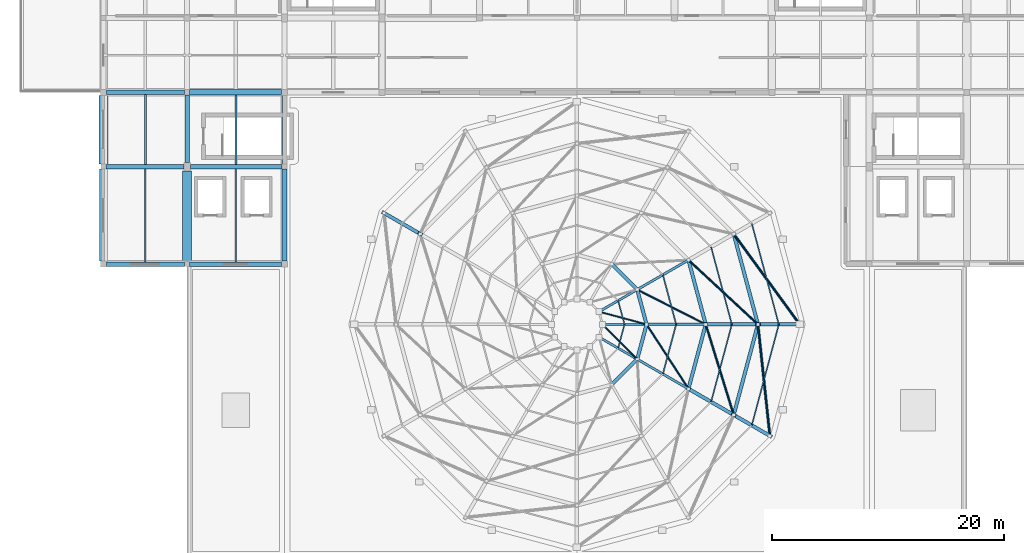
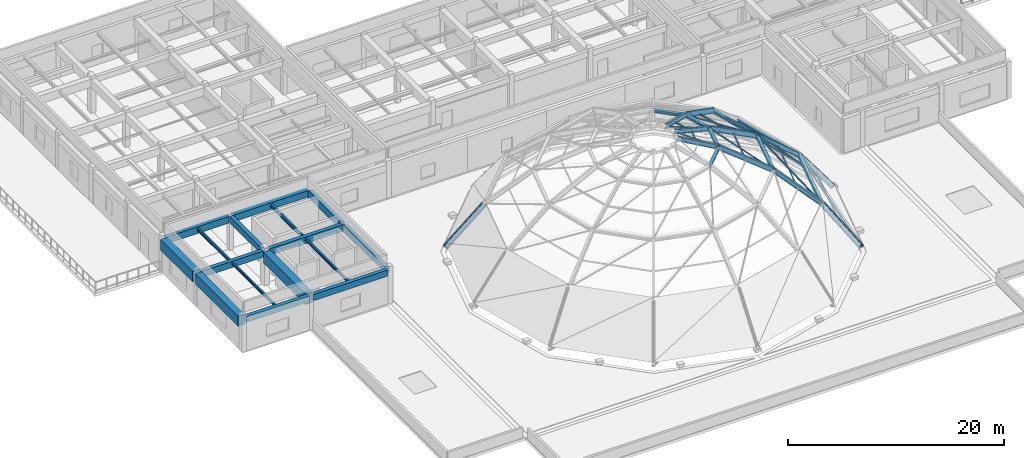
# One storey, part 3 of 18: 27 members, 24 beams.
"""IFC4 building model written with IfcOpenShell, lengths in metres."""

from ifc_helpers import new_model, si_unit, direction, frame, origin, origin_2d, place, context, subcontext, project, spatial, rectangle, hollow_rectangle, hollow_circle, i_section, extrude, material, material_profile, profile_set, type_object, element, save


model = new_model("IFC4")

# Units and contexts
model_context = context("Model", 3, precision=1e-05, world=origin(), true_north=direction((0.0, 1.0)))
body_context = subcontext(model_context, "Body", "Model", "MODEL_VIEW")
ifc_project = project(units=[si_unit("LENGTHUNIT", "METRE"), si_unit("AREAUNIT", "SQUARE_METRE"), si_unit("VOLUMEUNIT", "CUBIC_METRE"), si_unit("PLANEANGLEUNIT", "RADIAN"), si_unit("MASSUNIT", "GRAM", prefix="KILO")], contexts=[model_context])

# Site, building, storey
site_placement = place(None, origin())
site = spatial("IfcSite", under=ifc_project, at=site_placement, CompositionType="ELEMENT")
building_placement = place(site_placement, origin())
building = spatial("IfcBuilding", under=site, at=building_placement, Name="Korsvaeld Concert Hall", CompositionType="ELEMENT")
storey_placement = place(building_placement, frame((0.0, 0.0, 17.39990234375)))
storey = spatial("IfcBuildingStorey", under=building, at=storey_placement, Name="L04", CompositionType="ELEMENT", Elevation=17.39990234375)

# Beams
ifc_material_1 = material(Name="Concrete C35/45", Category="concrete")
ifc_material_profile_1 = material_profile(ifc_material_1, rectangle(XDim=0.39990234375, YDim=0.64990234375, at=origin_2d()), Name="RC 400x650")
ifc_profile_set_1 = profile_set([ifc_material_profile_1], Name="Concrete C35/45")
beam_type_1 = type_object("IfcBeamType", Name="BM-RC-400x650", PredefinedType="T_BEAM", material=ifc_profile_set_1)
beam_1_placement = place(storey_placement, frame((43.449951171875, 68.39990234375, 3.51513671875), z_axis=(1.0, 0.0, 0.0), x_axis=(0.0, 1.0, 0.0)))
element("IfcBeam", 1, at=beam_1_placement, inside=storey, type_object=beam_type_1, Name="Primary girder 7-8/K L04", PredefinedType="T_BEAM", context=body_context, shape_type="SweptSolid", body=[
    extrude(rectangle(XDim=0.39990234375, YDim=0.64990234375, at=origin_2d()), origin(), (0.0, 0.0, 1.0), 6.72509765625),
])
ifc_material_profile_2 = material_profile(ifc_material_1, rectangle(XDim=0.39990234375, YDim=0.699951171875, at=origin_2d()), Name="RC 400x700")
ifc_profile_set_2 = profile_set([ifc_material_profile_2], Name="Concrete C35/45")
beam_type_2 = type_object("IfcBeamType", Name="BM-RC-400x700", PredefinedType="T_BEAM", material=ifc_profile_set_2)
beam_2_placement = place(storey_placement, frame((50.625, 68.39990234375, 3.489990234375), z_axis=(1.0, 0.0, 0.0), x_axis=(0.0, 1.0, 0.0)))
element("IfcBeam", 2, at=beam_2_placement, inside=storey, type_object=beam_type_2, Name="Primary girder 8-9/K L04", PredefinedType="T_BEAM", context=body_context, shape_type="SweptSolid", body=[
    extrude(rectangle(XDim=0.39990234375, YDim=0.699951171875, at=origin_2d()), origin(), (0.0, 0.0, 1.0), 7.925048828125),
])
beam_3_placement = place(storey_placement, frame((43.425048828125, 76.800048828125, 3.489990234375), z_axis=(1.0, 0.0, 0.0), x_axis=(0.0, 1.0, 0.0)))
element("IfcBeam", 3, at=beam_3_placement, inside=storey, type_object=beam_type_2, Name="Primary girder 7-8/L L04", PredefinedType="T_BEAM", context=body_context, shape_type="SweptSolid", body=[
    extrude(rectangle(XDim=0.39990234375, YDim=0.699951171875, at=origin_2d()), origin(), (0.0, 0.0, 1.0), 6.699951171875),
])
beam_4_placement = place(storey_placement, frame((50.39990234375, 77.175048828125, 3.489990234375), z_axis=(0.0, 1.0, 0.0), x_axis=(-1.0, 0.0, 0.0)))
element("IfcBeam", 4, at=beam_4_placement, inside=storey, type_object=beam_type_2, Name="Primary girder 8/L-M L04", PredefinedType="T_BEAM", context=body_context, shape_type="SweptSolid", body=[
    extrude(rectangle(XDim=0.39990234375, YDim=0.699951171875, at=origin_2d()), origin(), (0.0, 0.0, 1.0), 5.800048828125),
])
beam_5_placement = place(storey_placement, frame((58.800048828125, 68.64990234375, 3.489990234375), z_axis=(0.0, 1.0, 0.0), x_axis=(-1.0, 0.0, 0.0)))
element("IfcBeam", 5, at=beam_5_placement, inside=storey, type_object=beam_type_2, Name="Primary girder 9/K-L L04", PredefinedType="T_BEAM", context=body_context, shape_type="SweptSolid", body=[
    extrude(rectangle(XDim=0.39990234375, YDim=0.699951171875, at=origin_2d()), origin(), (0.0, 0.0, 1.0), 7.925048828125),
])
ifc_material_profile_3 = material_profile(ifc_material_1, rectangle(XDim=0.39990234375, YDim=0.75, at=origin_2d()), Name="RC 400x750")
ifc_profile_set_3 = profile_set([ifc_material_profile_3], Name="Concrete C35/45")
beam_type_3 = type_object("IfcBeamType", Name="BM-RC-400x750", PredefinedType="T_BEAM", material=ifc_profile_set_3)
beam_6_placement = place(storey_placement, frame((50.675048828125, 76.800048828125, 3.465087890625), z_axis=(1.0, 0.0, 0.0), x_axis=(0.0, 1.0, 0.0)))
element("IfcBeam", 6, at=beam_6_placement, inside=storey, type_object=beam_type_3, Name="Primary girder 8-9/L L04", PredefinedType="T_BEAM", context=body_context, shape_type="SweptSolid", body=[
    extrude(rectangle(XDim=0.39990234375, YDim=0.75, at=origin_2d()), origin(), (0.0, 0.0, 1.0), 7.89990234375),
])
beam_7_placement = place(storey_placement, frame((43.449951171875, 83.199951171875, 3.465087890625), z_axis=(1.0, 0.0, 0.0), x_axis=(0.0, 1.0, 0.0)))
element("IfcBeam", 7, at=beam_7_placement, inside=storey, type_object=beam_type_3, Name="Primary girder 7-8/M L04", PredefinedType="T_BEAM", context=body_context, shape_type="SweptSolid", body=[
    extrude(rectangle(XDim=0.39990234375, YDim=0.75, at=origin_2d()), origin(), (0.0, 0.0, 1.0), 6.72509765625),
])
ifc_material_profile_4 = material_profile(ifc_material_1, rectangle(XDim=0.449951171875, YDim=0.75, at=origin_2d()), Name="RC 450x750")
ifc_profile_set_4 = profile_set([ifc_material_profile_4], Name="Concrete C35/45")
beam_type_4 = type_object("IfcBeamType", Name="BM-RC-450x750", PredefinedType="T_BEAM", material=ifc_profile_set_4)
beam_8_placement = place(storey_placement, frame((50.625, 83.199951171875, 3.465087890625), z_axis=(1.0, 0.0, 0.0), x_axis=(0.0, 1.0, 0.0)))
element("IfcBeam", 8, at=beam_8_placement, inside=storey, type_object=beam_type_4, Name="Primary girder 8-9/M L04", PredefinedType="T_BEAM", context=body_context, shape_type="SweptSolid", body=[
    extrude(rectangle(XDim=0.449951171875, YDim=0.75, at=origin_2d()), origin(), (0.0, 0.0, 1.0), 7.925048828125),
])
ifc_material_profile_5 = material_profile(ifc_material_1, rectangle(XDim=0.449951171875, YDim=0.800048828125, at=origin_2d()), Name="RC 450x800")
ifc_profile_set_5 = profile_set([ifc_material_profile_5], Name="Concrete C35/45")
beam_type_5 = type_object("IfcBeamType", Name="BM-RC-450x800", PredefinedType="T_BEAM", material=ifc_profile_set_5)
beam_9_placement = place(storey_placement, frame((58.800048828125, 77.02490234375, 3.440185546875), z_axis=(0.0, 1.0, 0.0), x_axis=(-1.0, 0.0, 0.0)))
element("IfcBeam", 9, at=beam_9_placement, inside=storey, type_object=beam_type_5, Name="Primary girder 9/L-M L04", PredefinedType="T_BEAM", context=body_context, shape_type="SweptSolid", body=[
    extrude(rectangle(XDim=0.449951171875, YDim=0.800048828125, at=origin_2d()), origin(), (0.0, 0.0, 1.0), 5.925048828125),
])
ifc_material_2 = material(Name="Concrete C40/50", Category="concrete")
ifc_material_profile_6 = material_profile(ifc_material_2, rectangle(XDim=0.699951171875, YDim=1.14990234375, at=origin_2d()), Name="RC 700x1150")
ifc_profile_set_6 = profile_set([ifc_material_profile_6], Name="Concrete C40/50")
beam_type_6 = type_object("IfcBeamType", Name="BM-RC-700x1150", PredefinedType="T_BEAM", material=ifc_profile_set_6)
beam_10_placement = place(storey_placement, frame((43.199951171875, 68.64990234375, 3.26513671875), z_axis=(0.0, 1.0, 0.0), x_axis=(-1.0, 0.0, 0.0)))
element("IfcBeam", 10, at=beam_10_placement, inside=storey, type_object=beam_type_6, Name="Primary girder 7/K-L L04", PredefinedType="T_BEAM", context=body_context, shape_type="SweptSolid", body=[
    extrude(rectangle(XDim=0.699951171875, YDim=1.14990234375, at=origin_2d()), origin(), (0.0, 0.0, 1.0), 7.925048828125),
])
ifc_material_profile_7 = material_profile(ifc_material_2, rectangle(XDim=0.75, YDim=1.199951171875, at=origin_2d()), Name="RC 750x1200")
ifc_profile_set_7 = profile_set([ifc_material_profile_7], Name="Concrete C40/50")
beam_type_7 = type_object("IfcBeamType", Name="BM-RC-750x1200", PredefinedType="T_BEAM", material=ifc_profile_set_7)
beam_11_placement = place(storey_placement, frame((43.199951171875, 77.02490234375, 3.239990234375), z_axis=(0.0, 1.0, 0.0), x_axis=(-1.0, 0.0, 0.0)))
element("IfcBeam", 11, at=beam_11_placement, inside=storey, type_object=beam_type_7, Name="Primary girder 7/L-M L04", PredefinedType="T_BEAM", context=body_context, shape_type="SweptSolid", body=[
    extrude(rectangle(XDim=0.75, YDim=1.199951171875, at=origin_2d()), origin(), (0.0, 0.0, 1.0), 5.925048828125),
])
beam_12_placement = place(storey_placement, frame((50.39990234375, 68.625, 3.239990234375), z_axis=(0.0, 1.0, 0.0), x_axis=(-1.0, 0.0, 0.0)))
element("IfcBeam", 12, at=beam_12_placement, inside=storey, type_object=beam_type_7, Name="Primary girder 8/K-L L04", PredefinedType="T_BEAM", context=body_context, shape_type="SweptSolid", body=[
    extrude(rectangle(XDim=0.75, YDim=1.199951171875, at=origin_2d()), origin(), (0.0, 0.0, 1.0), 7.800048828125),
])
ifc_material_3 = material(Name="Steel S355J2", Category="steel")
ifc_material_profile_8 = material_profile(ifc_material_3, i_section(OverallWidth=0.300048828125, OverallDepth=0.31005859375, WebThickness=0.009033203125, FlangeThickness=0.015380859375, FilletRadius=0.027099609375, at=origin_2d()), Name="HEA 320")
ifc_profile_set_8 = profile_set([ifc_material_profile_8], Name="Steel S355J2")
beam_type_8 = type_object("IfcBeamType", Name="BM-RING-HEA320", PredefinedType="USERDEFINED", material=ifc_profile_set_8)
beam_13_placement = place(storey_placement, frame((90.0, 63.199951171875, 11.760009765625), z_axis=(-0.258777996848, 0.965936824201, 0.0), x_axis=(-0.965936824201, -0.258777996848, 0.0)))
element("IfcBeam", 13, at=beam_13_placement, inside=storey, type_object=beam_type_8, Name="Dome latitude ring beam T3.B01", ObjectType="RING BEAM", PredefinedType="USERDEFINED", context=body_context, shape_type="SweptSolid", body=[
    extrude(i_section(OverallWidth=0.300048828125, OverallDepth=0.31005859375, WebThickness=0.009033203125, FlangeThickness=0.015380859375, FilletRadius=0.027099609375, at=origin_2d()), origin(), (0.0, 0.0, 1.0), 3.105712890625),
])
for number, where, z_axis, x_axis, name in (
    (14, (89.1962890625, 66.199951171875, 11.760009765625), (-0.707106781187, 0.707106781187, 0.0), (-0.707106781187, -0.707106781187, 0.0), "Dome latitude ring beam T3.B02"),
    (15, (87.0, 58.00390625, 11.760009765625), (0.707146083456, 0.707067476733, 0.0), (-0.707067476733, 0.707146083456, 0.0), "Dome latitude ring beam T3.B11"),
):
    element("IfcBeam", number, at=place(storey_placement, frame(where, z_axis=z_axis, x_axis=x_axis)), inside=storey, type_object=beam_type_8, Name=name, ObjectType="RING BEAM", PredefinedType="USERDEFINED", context=body_context, shape_type="SweptSolid", body=[
        extrude(i_section(OverallWidth=0.300048828125, OverallDepth=0.31005859375, WebThickness=0.009033203125, FlangeThickness=0.015380859375, FilletRadius=0.027099609375, at=origin_2d()), origin(), (0.0, 0.0, 1.0), 3.10595703125),
    ])
beam_14_placement = place(storey_placement, frame((89.1962890625, 60.199951171875, 11.760009765625), z_axis=(0.258777996848, 0.965936824201, 0.0), x_axis=(-0.965936824201, 0.258777996848, 0.0)))
element("IfcBeam", 16, at=beam_14_placement, inside=storey, type_object=beam_type_8, Name="Dome latitude ring beam T3.B12", ObjectType="RING BEAM", PredefinedType="USERDEFINED", context=body_context, shape_type="SweptSolid", body=[
    extrude(i_section(OverallWidth=0.300048828125, OverallDepth=0.31005859375, WebThickness=0.009033203125, FlangeThickness=0.015380859375, FilletRadius=0.027099609375, at=origin_2d()), origin(), (0.0, 0.0, 1.0), 3.105712890625),
])
ifc_material_profile_9 = material_profile(ifc_material_3, i_section(OverallWidth=0.300048828125, OverallDepth=0.340087890625, WebThickness=0.011962890625, FlangeThickness=0.021484375, FilletRadius=0.027099609375, at=origin_2d()), Name="HEB 340")
ifc_profile_set_9 = profile_set([ifc_material_profile_9], Name="Steel S355J2")
beam_type_9 = type_object("IfcBeamType", Name="BM-RING-HEB340", PredefinedType="USERDEFINED", material=ifc_profile_set_9)
for number, where, z_axis, x_axis, name in (
    (17, (95.10009765625, 63.199951171875, 9.16015625), (-0.258847231804, 0.965918273244, 0.0), (-0.965918273244, -0.258847231804, 0.0), "Dome latitude ring beam T2.B01"),
    (18, (93.61279296875, 57.64990234375, 9.16015625), (0.258847231804, 0.965918273244, 0.0), (-0.965918273244, 0.258847231804, 0.0), "Dome latitude ring beam T2.B12"),
):
    element("IfcBeam", number, at=place(storey_placement, frame(where, z_axis=z_axis, x_axis=x_axis)), inside=storey, type_object=beam_type_9, Name=name, ObjectType="RING BEAM", PredefinedType="USERDEFINED", context=body_context, shape_type="SweptSolid", body=[
        extrude(i_section(OverallWidth=0.300048828125, OverallDepth=0.340087890625, WebThickness=0.011962890625, FlangeThickness=0.021484375, FilletRadius=0.027099609375, at=origin_2d()), origin(), (0.0, 0.0, 1.0), 5.745849609375),
    ])
ifc_material_profile_10 = material_profile(ifc_material_3, i_section(OverallWidth=0.300048828125, OverallDepth=0.39990234375, WebThickness=0.013427734375, FlangeThickness=0.02392578125, FilletRadius=0.027099609375, at=origin_2d()), Name="HEB 400")
ifc_profile_set_10 = profile_set([ifc_material_profile_10], Name="Steel S355J2")
beam_type_10 = type_object("IfcBeamType", Name="BM-RING-HEB400", PredefinedType="USERDEFINED", material=ifc_profile_set_10)
for number, where, z_axis, x_axis, name in (
    (19, (99.60009765625, 63.199951171875, 5.360107421875), (-0.258827260717, 0.965923624884, 0.0), (-0.965923624884, -0.258827260717, 0.0), "Dome latitude ring beam T1.B01"),
    (20, (97.510009765625, 55.39990234375, 5.360107421875), (0.258827260717, 0.965923624884, 0.0), (-0.965923624884, 0.258827260717, 0.0), "Dome latitude ring beam T1.B12"),
):
    element("IfcBeam", number, at=place(storey_placement, frame(where, z_axis=z_axis, x_axis=x_axis)), inside=storey, type_object=beam_type_10, Name=name, ObjectType="RING BEAM", PredefinedType="USERDEFINED", context=body_context, shape_type="SweptSolid", body=[
        extrude(i_section(OverallWidth=0.300048828125, OverallDepth=0.39990234375, WebThickness=0.013427734375, FlangeThickness=0.02392578125, FilletRadius=0.027099609375, at=origin_2d()), origin(), (0.0, 0.0, 1.0), 8.0751953125),
    ])
ifc_material_profile_11 = material_profile(ifc_material_3, i_section(OverallWidth=0.14990234375, OverallDepth=0.300048828125, WebThickness=0.007080078125, FlangeThickness=0.0107421875, FilletRadius=0.014892578125, at=origin_2d()), Name="IPE 300")
ifc_profile_set_11 = profile_set([ifc_material_profile_11], Name="Steel S355J2")
beam_type_11 = type_object("IfcBeamType", Name="BM-STL-IPE300", PredefinedType="JOIST", material=ifc_profile_set_11)
beam_15_placement = place(storey_placement, frame((46.800048828125, 68.60009765625, 3.690185546875), z_axis=(0.0, 1.0, 0.0), x_axis=(-1.0, 0.0, 0.0)))
element("IfcBeam", 21, at=beam_15_placement, inside=storey, type_object=beam_type_11, Name="Secondary steel floor beam 7-8/K L04", PredefinedType="JOIST", context=body_context, shape_type="SweptSolid", body=[
    extrude(i_section(OverallWidth=0.14990234375, OverallDepth=0.300048828125, WebThickness=0.007080078125, FlangeThickness=0.0107421875, FilletRadius=0.014892578125, at=origin_2d()), origin(), (0.0, 0.0, 1.0), 8.0),
])
ifc_material_profile_12 = material_profile(ifc_material_3, i_section(OverallWidth=0.159912109375, OverallDepth=0.330078125, WebThickness=0.007568359375, FlangeThickness=0.011474609375, FilletRadius=0.01806640625, at=origin_2d()), Name="IPE 330")
ifc_profile_set_12 = profile_set([ifc_material_profile_12], Name="Steel S355J2")
beam_type_12 = type_object("IfcBeamType", Name="BM-STL-IPE330", PredefinedType="BEAM", material=ifc_profile_set_12)
beam_16_placement = place(storey_placement, frame((54.60009765625, 68.60009765625, 3.675048828125), z_axis=(0.0, 1.0, 0.0), x_axis=(-1.0, 0.0, 0.0)))
element("IfcBeam", 22, at=beam_16_placement, inside=storey, type_object=beam_type_12, Name="Secondary steel floor beam 8-9/K L04", PredefinedType="BEAM", context=body_context, shape_type="SweptSolid", body=[
    extrude(i_section(OverallWidth=0.159912109375, OverallDepth=0.330078125, WebThickness=0.007568359375, FlangeThickness=0.011474609375, FilletRadius=0.01806640625, at=origin_2d()), origin(), (0.0, 0.0, 1.0), 8.0),
])
ifc_material_profile_13 = material_profile(ifc_material_3, i_section(OverallWidth=0.169921875, OverallDepth=0.360107421875, WebThickness=0.008056640625, FlangeThickness=0.0126953125, FilletRadius=0.01806640625, at=origin_2d()), Name="IPE 360")
ifc_profile_set_13 = profile_set([ifc_material_profile_13], Name="Steel S355J2")
beam_type_13 = type_object("IfcBeamType", Name="BM-STL-IPE360", PredefinedType="BEAM", material=ifc_profile_set_13)
beam_17_placement = place(storey_placement, frame((46.800048828125, 77.0, 3.66015625), z_axis=(0.0, 1.0, 0.0), x_axis=(-1.0, 0.0, 0.0)))
element("IfcBeam", 23, at=beam_17_placement, inside=storey, type_object=beam_type_13, Name="Secondary steel floor beam 7-8/L L04", PredefinedType="BEAM", context=body_context, shape_type="SweptSolid", body=[
    extrude(i_section(OverallWidth=0.169921875, OverallDepth=0.360107421875, WebThickness=0.008056640625, FlangeThickness=0.0126953125, FilletRadius=0.01806640625, at=origin_2d()), origin(), (0.0, 0.0, 1.0), 6.0),
])
ifc_material_profile_14 = material_profile(ifc_material_3, i_section(OverallWidth=0.179931640625, OverallDepth=0.39990234375, WebThickness=0.008544921875, FlangeThickness=0.013427734375, FilletRadius=0.02099609375, at=origin_2d()), Name="IPE 400")
ifc_profile_set_14 = profile_set([ifc_material_profile_14], Name="Steel S355J2")
beam_type_14 = type_object("IfcBeamType", Name="BM-STL-IPE400", PredefinedType="BEAM", material=ifc_profile_set_14)
beam_18_placement = place(storey_placement, frame((54.60009765625, 77.0, 3.64013671875), z_axis=(0.0, 1.0, 0.0), x_axis=(-1.0, 0.0, 0.0)))
element("IfcBeam", 24, at=beam_18_placement, inside=storey, type_object=beam_type_14, Name="Secondary steel floor beam 8-9/L L04", PredefinedType="BEAM", context=body_context, shape_type="SweptSolid", body=[
    extrude(i_section(OverallWidth=0.179931640625, OverallDepth=0.39990234375, WebThickness=0.008544921875, FlangeThickness=0.013427734375, FilletRadius=0.02099609375, at=origin_2d()), origin(), (0.0, 0.0, 1.0), 5.97509765625),
])

# Members
ifc_material_profile_15 = material_profile(ifc_material_3, hollow_circle(Radius=0.06982421875, WallThickness=0.008056640625, at=origin_2d()), Name="CHS 139.7x8")
ifc_profile_set_15 = profile_set([ifc_material_profile_15], Name="Steel S355J2")
member_type_1 = type_object("IfcMemberType", Name="MEM-BRC-CHS139", PredefinedType="BRACE", material=ifc_profile_set_15)
member_1_placement = place(storey_placement, frame((90.0, 63.199951171875, 11.85009765625), z_axis=(-0.9414322899, 0.252927134408, 0.223009211052), x_axis=(-0.259461320751, -0.965753500141, 0.0)))
element("IfcMember", 25, at=member_1_placement, inside=storey, type_object=member_type_1, Name="Dome diagonal brace T4.B01", PredefinedType="BRACE", context=body_context, shape_type="SweptSolid", body=[
    extrude(hollow_circle(Radius=0.06982421875, WallThickness=0.008056640625, at=origin_2d()), origin(), (0.0, 0.0, 1.0), 4.349365234375),
])
member_2_placement = place(storey_placement, frame((89.1962890625, 60.199951171875, 11.85009765625), z_axis=(-0.688879133564, 0.689721078239, 0.22300307974), x_axis=(-0.707538496544, -0.70667480209, 0.0)))
element("IfcMember", 26, at=member_2_placement, inside=storey, type_object=member_type_1, Name="Dome diagonal brace T4.B12", PredefinedType="BRACE", context=body_context, shape_type="SweptSolid", body=[
    extrude(hollow_circle(Radius=0.06982421875, WallThickness=0.008056640625, at=origin_2d()), origin(), (0.0, 0.0, 1.0), 4.349609375),
])
ifc_material_profile_16 = material_profile(ifc_material_3, hollow_circle(Radius=0.084228515625, WallThickness=0.008056640625, at=origin_2d()), Name="CHS 168.3x8")
ifc_profile_set_16 = profile_set([ifc_material_profile_16], Name="Steel S355J2")
member_type_2 = type_object("IfcMemberType", Name="MEM-BRC-CHS168", PredefinedType="BRACE", material=ifc_profile_set_16)
for number, where, z_axis, x_axis, name in (
    (27, (95.10009765625, 63.199951171875, 9.25), (-0.82983291849, 0.421676738996, 0.365466900253), (-0.453014304211, -0.891503247431, 0.0), "Dome diagonal brace T3.B01"),
    (28, (93.61279296875, 57.64990234375, 9.25), (-0.507808451123, 0.78010606294, 0.365465603761), (-0.838080404655, -0.54554673066, 0.0), "Dome diagonal brace T3.B12"),
):
    element("IfcMember", number, at=place(storey_placement, frame(where, z_axis=z_axis, x_axis=x_axis)), inside=storey, type_object=member_type_2, Name=name, PredefinedType="BRACE", context=body_context, shape_type="SweptSolid", body=[
        extrude(hollow_circle(Radius=0.084228515625, WallThickness=0.008056640625, at=origin_2d()), origin(), (0.0, 0.0, 1.0), 7.114501953125),
    ])
ifc_material_profile_17 = material_profile(ifc_material_3, hollow_circle(Radius=0.096923828125, WallThickness=0.010009765625, at=origin_2d()), Name="CHS 193.7x10")
ifc_profile_set_17 = profile_set([ifc_material_profile_17], Name="Steel S355J2")
member_type_3 = type_object("IfcMemberType", Name="MEM-BRC-CHS193", PredefinedType="BRACE", material=ifc_profile_set_17)
for number, where, z_axis, x_axis, name in (
    (29, (99.60009765625, 63.199951171875, 5.4501953125), (-0.664889359379, 0.616332156531, 0.421967786225), (-0.679819984239, -0.7333790214, 0.0), "Dome diagonal brace T2.B01"),
    (30, (97.510009765625, 55.39990234375, 5.4501953125), (-0.267624402857, 0.866207278582, 0.421974086321), (-0.95543761078, -0.295193109519, 0.0), "Dome diagonal brace T2.B12"),
):
    element("IfcMember", number, at=place(storey_placement, frame(where, z_axis=z_axis, x_axis=x_axis)), inside=storey, type_object=member_type_3, Name=name, PredefinedType="BRACE", context=body_context, shape_type="SweptSolid", body=[
        extrude(hollow_circle(Radius=0.096923828125, WallThickness=0.010009765625, at=origin_2d()), origin(), (0.0, 0.0, 1.0), 9.0048828125),
    ])
ifc_material_profile_18 = material_profile(ifc_material_3, hollow_circle(Radius=0.109619140625, WallThickness=0.010009765625, at=origin_2d()), Name="CHS 219.1x10")
ifc_profile_set_18 = profile_set([ifc_material_profile_18], Name="Steel S355J2")
member_type_4 = type_object("IfcMemberType", Name="MEM-BRC-CHS219", PredefinedType="BRACE", material=ifc_profile_set_18)
member_3_placement = place(storey_placement, frame((103.199951171875, 63.199951171875, 0.60009765625), z_axis=(-0.526621535695, 0.72191845207, 0.448891419726), x_axis=(-0.807888890022, -0.589334829599, 0.0)))
element("IfcMember", 31, at=member_3_placement, inside=storey, type_object=member_type_4, Name="Dome diagonal brace T1.B01", PredefinedType="BRACE", context=body_context, shape_type="SweptSolid", body=[
    extrude(hollow_circle(Radius=0.109619140625, WallThickness=0.010009765625, at=origin_2d()), origin(), (0.0, 0.0, 1.0), 10.8046875),
])
member_4_placement = place(storey_placement, frame((100.627685546875, 53.60009765625, 0.60009765625), z_axis=(-0.095107663032, 0.88850758329, 0.448897323304), x_axis=(-0.99431976771, -0.106434014961, 0.0)))
element("IfcMember", 32, at=member_4_placement, inside=storey, type_object=member_type_4, Name="Dome diagonal brace T1.B12", PredefinedType="BRACE", context=body_context, shape_type="SweptSolid", body=[
    extrude(hollow_circle(Radius=0.109619140625, WallThickness=0.010009765625, at=origin_2d()), origin(), (0.0, 0.0, 1.0), 10.804443359375),
])
ifc_material_profile_19 = material_profile(ifc_material_3, i_section(OverallWidth=0.10009765625, OverallDepth=0.199951171875, WebThickness=0.005615234375, FlangeThickness=0.008544921875, FilletRadius=0.011962890625, at=origin_2d()), Name="IPE 200")
ifc_profile_set_19 = profile_set([ifc_material_profile_19], Name="Steel S355J2")
member_type_5 = type_object("IfcMemberType", Name="MEM-PUR-IPE200", PredefinedType="PURLIN", material=ifc_profile_set_19)
for number, where, z_axis, x_axis, name in (
    (33, (88.10009765625, 63.199951171875, 12.135009765625), (-0.258822332634, 0.965924945392, 0.0), (-0.965924945392, -0.258822332634, 0.0), "Dome hoop purlin T4.B01"),
    (34, (87.55078125, 61.14990234375, 12.135009765625), (0.258822332634, 0.965924945392, 0.0), (-0.965924945392, 0.258822332634, 0.0), "Dome hoop purlin T4.B12"),
):
    element("IfcMember", number, at=place(storey_placement, frame(where, z_axis=z_axis, x_axis=x_axis)), inside=storey, type_object=member_type_5, Name=name, PredefinedType="PURLIN", context=body_context, shape_type="SweptSolid", body=[
        extrude(i_section(OverallWidth=0.10009765625, OverallDepth=0.199951171875, WebThickness=0.005615234375, FlangeThickness=0.008544921875, FilletRadius=0.011962890625, at=origin_2d()), origin(), (0.0, 0.0, 1.0), 2.122314453125),
    ])
ifc_material_profile_20 = material_profile(ifc_material_3, i_section(OverallWidth=0.110107421875, OverallDepth=0.219970703125, WebThickness=0.005859375, FlangeThickness=0.00927734375, FilletRadius=0.011962890625, at=origin_2d()), Name="IPE 220")
ifc_profile_set_20 = profile_set([ifc_material_profile_20], Name="Steel S355J2")
member_type_6 = type_object("IfcMemberType", Name="MEM-PUR-IPE220", PredefinedType="PURLIN", material=ifc_profile_set_20)
member_5_placement = place(storey_placement, frame((92.550048828125, 63.199951171875, 10.35009765625), z_axis=(-0.258816044185, 0.965926630377, 0.0), x_axis=(-0.965926630377, -0.258816044185, 0.0)))
element("IfcMember", 35, at=member_5_placement, inside=storey, type_object=member_type_6, Name="Dome hoop purlin T3.B01", PredefinedType="PURLIN", context=body_context, shape_type="SweptSolid", body=[
    extrude(i_section(OverallWidth=0.110107421875, OverallDepth=0.219970703125, WebThickness=0.005859375, FlangeThickness=0.00927734375, FilletRadius=0.011962890625, at=origin_2d()), origin(), (0.0, 0.0, 1.0), 4.426025390625),
])
member_6_placement = place(storey_placement, frame((91.404541015625, 58.925048828125, 10.35009765625), z_axis=(0.258829835029, 0.965922935072, 0.0), x_axis=(-0.965922935072, 0.258829835029, 0.0)))
element("IfcMember", 36, at=member_6_placement, inside=storey, type_object=member_type_6, Name="Dome hoop purlin T3.B12", PredefinedType="PURLIN", context=body_context, shape_type="SweptSolid", body=[
    extrude(i_section(OverallWidth=0.110107421875, OverallDepth=0.219970703125, WebThickness=0.005859375, FlangeThickness=0.00927734375, FilletRadius=0.011962890625, at=origin_2d()), origin(), (0.0, 0.0, 1.0), 4.42578125),
])
ifc_material_profile_21 = material_profile(ifc_material_3, hollow_rectangle(XDim=0.10009765625, YDim=0.14990234375, WallThickness=0.008056640625, at=origin_2d()), Name="RHS 150x100x8")
ifc_profile_set_21 = profile_set([ifc_material_profile_21], Name="Steel S355J2")
member_type_7 = type_object("IfcMemberType", Name="MEM-PUR-RHS150", PredefinedType="PURLIN", material=ifc_profile_set_21)
for number, where, z_axis, x_axis, name in (
    (37, (97.35009765625, 63.199951171875, 7.150146484375), (-0.258852044145, 0.965916983618, 0.0), (-0.965916983618, -0.258852044145, 0.0), "Dome hoop purlin T2.B01"),
    (38, (95.561279296875, 56.52490234375, 7.150146484375), (0.258852044145, 0.965916983618, 0.0), (-0.965916983618, 0.258852044145, 0.0), "Dome hoop purlin T2.B12"),
):
    element("IfcMember", number, at=place(storey_placement, frame(where, z_axis=z_axis, x_axis=x_axis)), inside=storey, type_object=member_type_7, Name=name, PredefinedType="PURLIN", context=body_context, shape_type="SweptSolid", body=[
        extrude(hollow_rectangle(XDim=0.10009765625, YDim=0.14990234375, WallThickness=0.008056640625, at=origin_2d()), origin(), (0.0, 0.0, 1.0), 6.91064453125),
    ])
ifc_material_profile_22 = material_profile(ifc_material_3, hollow_rectangle(XDim=0.10009765625, YDim=0.179931640625, WallThickness=0.008056640625, at=origin_2d()), Name="RHS 180x100x8")
ifc_profile_set_22 = profile_set([ifc_material_profile_22], Name="Steel S355J2")
member_type_8 = type_object("IfcMemberType", Name="MEM-PUR-RHS180", PredefinedType="PURLIN", material=ifc_profile_set_22)
for number, where, z_axis, x_axis, name in (
    (39, (101.39990234375, 63.199951171875, 2.8251953125), (-0.258809700989, 0.965928329988, 0.0), (-0.965928329988, -0.258809700989, 0.0), "Dome hoop purlin T1.B01"),
    (40, (99.06884765625, 54.5, 2.8251953125), (0.258809700989, 0.965928329988, 0.0), (-0.965928329988, 0.258809700989, 0.0), "Dome hoop purlin T1.B12"),
):
    element("IfcMember", number, at=place(storey_placement, frame(where, z_axis=z_axis, x_axis=x_axis)), inside=storey, type_object=member_type_8, Name=name, PredefinedType="PURLIN", context=body_context, shape_type="SweptSolid", body=[
        extrude(hollow_rectangle(XDim=0.10009765625, YDim=0.179931640625, WallThickness=0.008056640625, at=origin_2d()), origin(), (0.0, 0.0, 1.0), 9.0068359375),
    ])
ifc_material_profile_23 = material_profile(ifc_material_3, i_section(OverallWidth=0.300048828125, OverallDepth=0.449951171875, WebThickness=0.013916015625, FlangeThickness=0.02587890625, FilletRadius=0.027099609375, at=origin_2d()), Name="HEB 450")
ifc_profile_set_23 = profile_set([ifc_material_profile_23], Name="Steel S355J2")
member_type_9 = type_object("IfcMemberType", Name="MEM-RIB-HEB450", PredefinedType="USERDEFINED", material=ifc_profile_set_23)
for number, where, z_axis, x_axis, name in (
    (41, (99.60009765625, 63.199951171875, 5.4501953125), (-0.76404626226, 0.0, 0.645161459734), (0.0, -1.0, 0.0), "Main Hall radial steel dome rib B01.2"),
    (42, (97.510009765625, 55.39990234375, 5.4501953125), (-0.661693254378, 0.382018732841, 0.645154031894), (-0.499990139034, -0.866031096941, 0.0), "Main Hall radial steel dome rib B12.2"),
):
    element("IfcMember", number, at=place(storey_placement, frame(where, z_axis=z_axis, x_axis=x_axis)), inside=storey, type_object=member_type_9, Name=name, ObjectType="ARCH SEGMENT", PredefinedType="USERDEFINED", context=body_context, shape_type="SweptSolid", body=[
        extrude(i_section(OverallWidth=0.300048828125, OverallDepth=0.449951171875, WebThickness=0.013916015625, FlangeThickness=0.02587890625, FilletRadius=0.027099609375, at=origin_2d()), origin(), (0.0, 0.0, 1.0), 5.8896484375),
    ])
ifc_material_profile_24 = material_profile(ifc_material_3, i_section(OverallWidth=0.300048828125, OverallDepth=0.5, WebThickness=0.014404296875, FlangeThickness=0.028076171875, FilletRadius=0.027099609375, at=origin_2d()), Name="HEB 500")
ifc_profile_set_24 = profile_set([ifc_material_profile_24], Name="Steel S355J2")
member_type_10 = type_object("IfcMemberType", Name="MEM-RIB-HEB500", PredefinedType="USERDEFINED", material=ifc_profile_set_24)
for number, where, z_axis, x_axis, name in (
    (43, (103.199951171875, 63.199951171875, 0.60009765625), (-0.595995763339, 0.0, 0.802987577788), (0.0, -1.0, 0.0), "Main Hall radial steel dome rib B01.1"),
    (44, (67.372314453125, 72.800048828125, 0.60009765625), (0.516157866889, -0.298013465354, 0.802975112264), (0.500012057535, 0.866018442252, 0.0), "Main Hall radial steel dome rib B06.1"),
    (45, (100.627685546875, 53.60009765625, 0.60009765625), (-0.516164083998, 0.297976634866, 0.80298478408), (-0.499961193289, -0.866047807691, 0.0), "Main Hall radial steel dome rib B12.1"),
):
    element("IfcMember", number, at=place(storey_placement, frame(where, z_axis=z_axis, x_axis=x_axis)), inside=storey, type_object=member_type_10, Name=name, ObjectType="ARCH SEGMENT", PredefinedType="USERDEFINED", context=body_context, shape_type="SweptSolid", body=[
        extrude(i_section(OverallWidth=0.300048828125, OverallDepth=0.5, WebThickness=0.014404296875, FlangeThickness=0.028076171875, FilletRadius=0.027099609375, at=origin_2d()), origin(), (0.0, 0.0, 1.0), 6.0400390625),
    ])
ifc_material_profile_25 = material_profile(ifc_material_3, i_section(OverallWidth=0.199951171875, OverallDepth=0.5, WebThickness=0.01025390625, FlangeThickness=0.01611328125, FilletRadius=0.02099609375, at=origin_2d()), Name="IPE 500")
ifc_profile_set_25 = profile_set([ifc_material_profile_25], Name="Steel S355J2")
member_type_11 = type_object("IfcMemberType", Name="MEM-RIB-IPE500", PredefinedType="USERDEFINED", material=ifc_profile_set_25)
for number, where, z_axis, x_axis, name in (
    (46, (90.0, 63.199951171875, 11.85009765625), (-0.968933264788, 0.0, 0.247322316801), (0.0, -1.0, 0.0), "Main Hall radial steel dome rib B01.4"),
    (47, (89.1962890625, 66.199951171875, 11.85009765625), (-0.839139268852, -0.484434850905, 0.247321981836), (0.499967155389, -0.866044365799, 0.0), "Main Hall radial steel dome rib B02.4"),
):
    element("IfcMember", number, at=place(storey_placement, frame(where, z_axis=z_axis, x_axis=x_axis)), inside=storey, type_object=member_type_11, Name=name, ObjectType="ARCH SEGMENT", PredefinedType="USERDEFINED", context=body_context, shape_type="SweptSolid", body=[
        extrude(i_section(OverallWidth=0.199951171875, OverallDepth=0.5, WebThickness=0.01025390625, FlangeThickness=0.01611328125, FilletRadius=0.02099609375, at=origin_2d()), origin(), (0.0, 0.0, 1.0), 3.921875),
    ])
member_7_placement = place(storey_placement, frame((89.1962890625, 60.199951171875, 11.85009765625), z_axis=(-0.839113962949, 0.484482490626, 0.247314523353), x_axis=(-0.500015340139, -0.86601654697, 0.0)))
element("IfcMember", 48, at=member_7_placement, inside=storey, type_object=member_type_11, Name="Main Hall radial steel dome rib B12.4", ObjectType="ARCH SEGMENT", PredefinedType="USERDEFINED", context=body_context, shape_type="SweptSolid", body=[
    extrude(i_section(OverallWidth=0.199951171875, OverallDepth=0.5, WebThickness=0.01025390625, FlangeThickness=0.01611328125, FilletRadius=0.02099609375, at=origin_2d()), origin(), (0.0, 0.0, 1.0), 3.922119140625),
])
ifc_material_profile_26 = material_profile(ifc_material_3, i_section(OverallWidth=0.2099609375, OverallDepth=0.550048828125, WebThickness=0.010986328125, FlangeThickness=0.01708984375, FilletRadius=0.02392578125, at=origin_2d()), Name="IPE 550")
ifc_profile_set_26 = profile_set([ifc_material_profile_26], Name="Steel S355J2")
member_type_12 = type_object("IfcMemberType", Name="MEM-RIB-IPE550", PredefinedType="USERDEFINED", material=ifc_profile_set_26)
member_8_placement = place(storey_placement, frame((95.10009765625, 63.199951171875, 9.25), z_axis=(-0.890902763201, 0.0, 0.454194084638), x_axis=(0.0, -1.0, 0.0)))
element("IfcMember", 49, at=member_8_placement, inside=storey, type_object=member_type_12, Name="Main Hall radial steel dome rib B01.3", ObjectType="ARCH SEGMENT", PredefinedType="USERDEFINED", context=body_context, shape_type="SweptSolid", body=[
    extrude(i_section(OverallWidth=0.2099609375, OverallDepth=0.550048828125, WebThickness=0.010986328125, FlangeThickness=0.01708984375, FilletRadius=0.02392578125, at=origin_2d()), origin(), (0.0, 0.0, 1.0), 5.724609375),
])
for number, where, z_axis, x_axis, name in (
    (50, (93.61279296875, 68.75, 9.25), (-0.771522491588, -0.44547000689, 0.454213075479), (0.500026340207, -0.866010195725, 0.0), "Main Hall radial steel dome rib B02.3"),
    (51, (93.61279296875, 57.64990234375, 9.25), (-0.771522491588, 0.44547000689, 0.454213075479), (-0.500026340207, -0.866010195725, 0.0), "Main Hall radial steel dome rib B12.3"),
):
    element("IfcMember", number, at=place(storey_placement, frame(where, z_axis=z_axis, x_axis=x_axis)), inside=storey, type_object=member_type_12, Name=name, ObjectType="ARCH SEGMENT", PredefinedType="USERDEFINED", context=body_context, shape_type="SweptSolid", body=[
        extrude(i_section(OverallWidth=0.2099609375, OverallDepth=0.550048828125, WebThickness=0.010986328125, FlangeThickness=0.01708984375, FilletRadius=0.02392578125, at=origin_2d()), origin(), (0.0, 0.0, 1.0), 5.724365234375),
    ])

save(model, "model.ifc")
